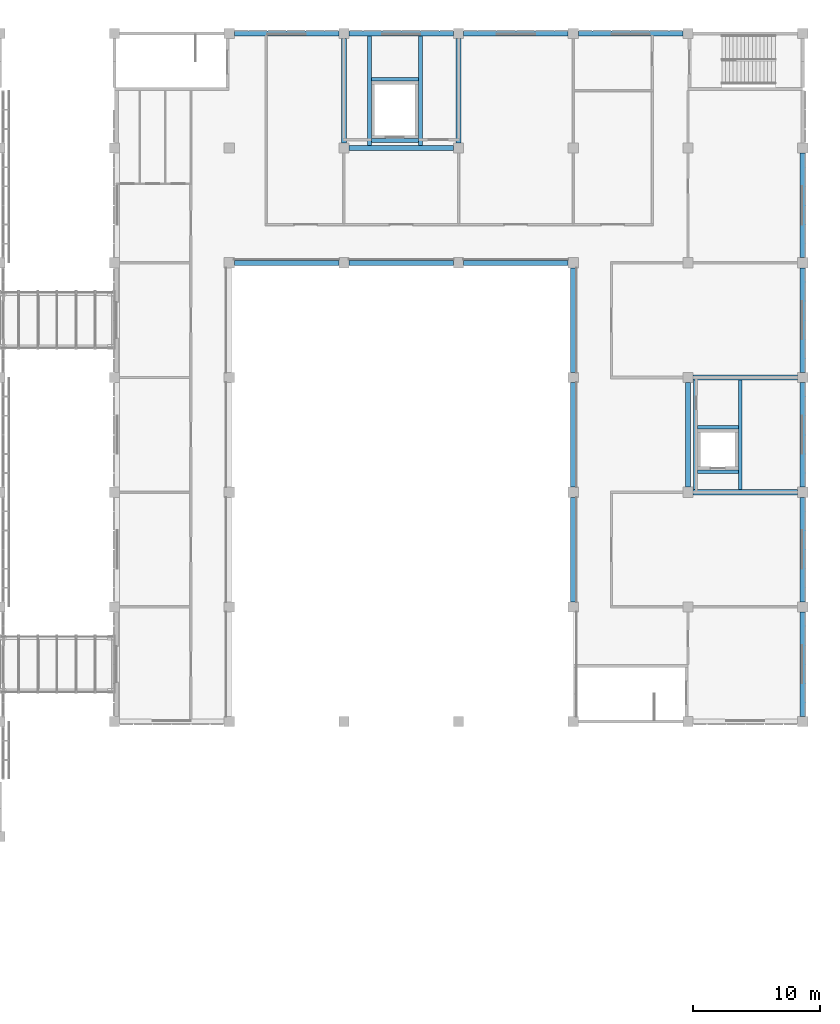
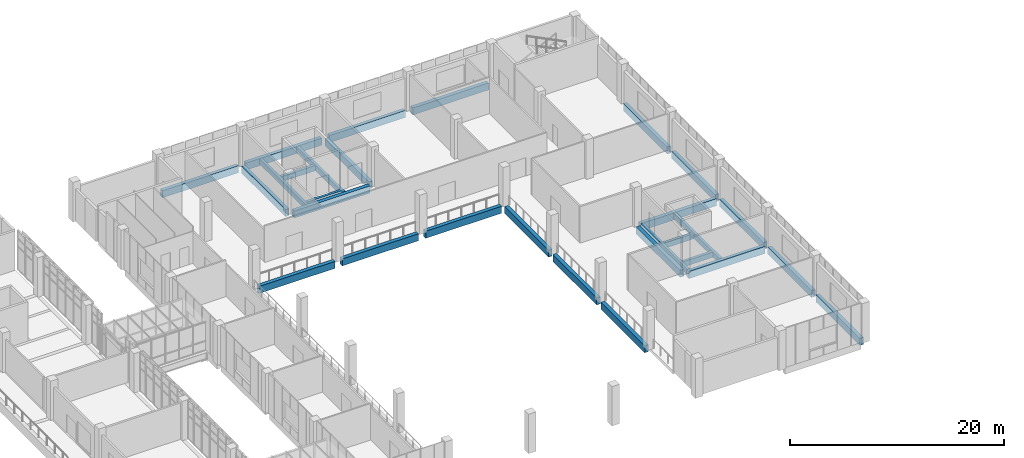
# One storey, part 34 of 88: 29 beams.
"""IFC4 building model written with IfcOpenShell, lengths in metres."""

from ifc_helpers import new_model, si_unit, direction, frame, origin, origin_2d, place, context, subcontext, project, spatial, rectangle, extrude, material, material_profile, profile_set, type_object, element, save


model = new_model("IFC4")

# Units and contexts
model_context = context("Model", 3, precision=1e-05, world=origin(), true_north=direction((0.0, 1.0)))
body_context = subcontext(model_context, "Body", "Model", "MODEL_VIEW")
ifc_project = project(units=[si_unit("LENGTHUNIT", "METRE"), si_unit("AREAUNIT", "SQUARE_METRE"), si_unit("VOLUMEUNIT", "CUBIC_METRE"), si_unit("PLANEANGLEUNIT", "RADIAN"), si_unit("MASSUNIT", "GRAM", prefix="KILO")], contexts=[model_context])

# Site, building, storey
site_placement = place(None, origin())
site = spatial("IfcSite", under=ifc_project, at=site_placement, CompositionType="ELEMENT")
building_placement = place(site_placement, origin())
building = spatial("IfcBuilding", under=site, at=building_placement, Name="Guidao Yard Department Store", CompositionType="ELEMENT")
storey_placement = place(building_placement, frame((0.0, 0.0, 6.0)))
storey = spatial("IfcBuildingStorey", under=building, at=storey_placement, Name="L01", CompositionType="ELEMENT", Elevation=6.0)

# Beams
ifc_material_1 = material(Name="Concrete C40", Category="concrete")
ifc_material_profile_1 = material_profile(ifc_material_1, rectangle(XDim=0.39990234375, YDim=0.800048828125, at=origin_2d()), Name="Edge beam 400 x 800 C40")
ifc_profile_set_1 = profile_set([ifc_material_profile_1], Name="Concrete C40")
beam_type_1 = type_object("IfcBeamType", Name="Edge beam 400 x 800 C40", PredefinedType="BEAM", material=ifc_profile_set_1)
for number, where, z_axis, x_axis, name in (
    (1, (135.39990234375, 99.0, -0.39990234375), (1.0, 0.0, 0.0), (0.0, 1.0, 0.0), "Beam EB102"),
    (2, (135.0, 99.39990234375, -0.39990234375), (0.0, 1.0, 0.0), (-1.0, 0.0, 0.0), "Beam EB103"),
    (3, (144.0, 99.39990234375, -0.39990234375), (0.0, 1.0, 0.0), (-1.0, 0.0, 0.0), "Beam EB104"),
    (4, (162.39990234375, 72.0, -0.39990234375), (1.0, 0.0, 0.0), (0.0, 1.0, 0.0), "Beam EB105"),
    (5, (162.39990234375, 81.0, -0.39990234375), (1.0, 0.0, 0.0), (0.0, 1.0, 0.0), "Beam EB106"),
    (6, (162.0, 72.39990234375, -0.39990234375), (0.0, 1.0, 0.0), (-1.0, 0.0, 0.0), "Beam EB107"),
):
    element("IfcBeam", number, at=place(storey_placement, frame(where, z_axis=z_axis, x_axis=x_axis)), inside=storey, type_object=beam_type_1, Name=name, PredefinedType="BEAM", context=body_context, shape_type="SweptSolid", body=[
        extrude(rectangle(XDim=0.39990234375, YDim=0.800048828125, at=origin_2d()), origin(), (0.0, 0.0, 1.0), 8.2001953125),
    ])
ifc_material_2 = material(Name="Concrete C40", Category="concrete")
ifc_material_profile_2 = material_profile(ifc_material_2, rectangle(XDim=0.300048828125, YDim=0.60009765625, at=origin_2d()), Name="Opening beam 300 x 600 C40")
ifc_profile_set_2 = profile_set([ifc_material_profile_2], Name="Concrete C40")
beam_type_2 = type_object("IfcBeamType", Name="Opening beam 300 x 600 C40", PredefinedType="BEAM", material=ifc_profile_set_2)
for number, where, z_axis, x_axis, name in (
    (7, (137.0, 99.199951171875, -0.300048828125), (0.0, 1.0, 0.0), (-1.0, 0.0, 0.0), "Beam OB29"),
    (8, (141.0, 99.199951171875, -0.300048828125), (0.0, 1.0, 0.0), (-1.0, 0.0, 0.0), "Beam OB30"),
):
    element("IfcBeam", number, at=place(storey_placement, frame(where, z_axis=z_axis, x_axis=x_axis)), inside=storey, type_object=beam_type_2, Name=name, PredefinedType="BEAM", context=body_context, shape_type="SweptSolid", body=[
        extrude(rectangle(XDim=0.300048828125, YDim=0.60009765625, at=origin_2d()), origin(), (0.0, 0.0, 1.0), 8.60009765625),
    ])
for number, where, z_axis, x_axis, name in (
    (9, (137.14990234375, 99.60009765625, -0.300048828125), (1.0, 0.0, 0.0), (0.0, 1.0, 0.0), "Beam OB31"),
    (10, (137.14990234375, 104.39990234375, -0.300048828125), (1.0, 0.0, 0.0), (0.0, 1.0, 0.0), "Beam OB32"),
):
    element("IfcBeam", number, at=place(storey_placement, frame(where, z_axis=z_axis, x_axis=x_axis)), inside=storey, type_object=beam_type_2, Name=name, PredefinedType="BEAM", context=body_context, shape_type="SweptSolid", body=[
        extrude(rectangle(XDim=0.300048828125, YDim=0.60009765625, at=origin_2d()), origin(), (0.0, 0.0, 1.0), 3.7001953125),
    ])
for number, where, z_axis, x_axis, name in (
    (11, (162.60009765625, 72.199951171875, -0.300048828125), (0.0, 1.0, 0.0), (-1.0, 0.0, 0.0), "Beam OB33"),
    (12, (166.10009765625, 72.199951171875, -0.300048828125), (0.0, 1.0, 0.0), (-1.0, 0.0, 0.0), "Beam OB34"),
):
    element("IfcBeam", number, at=place(storey_placement, frame(where, z_axis=z_axis, x_axis=x_axis)), inside=storey, type_object=beam_type_2, Name=name, PredefinedType="BEAM", context=body_context, shape_type="SweptSolid", body=[
        extrude(rectangle(XDim=0.300048828125, YDim=0.60009765625, at=origin_2d()), origin(), (0.0, 0.0, 1.0), 8.60009765625),
    ])
for number, where, z_axis, x_axis, name in (
    (13, (162.75, 73.60009765625, -0.300048828125), (1.0, 0.0, 0.0), (0.0, 1.0, 0.0), "Beam OB35"),
    (14, (162.75, 77.10009765625, -0.300048828125), (1.0, 0.0, 0.0), (0.0, 1.0, 0.0), "Beam OB36"),
):
    element("IfcBeam", number, at=place(storey_placement, frame(where, z_axis=z_axis, x_axis=x_axis)), inside=storey, type_object=beam_type_2, Name=name, PredefinedType="BEAM", context=body_context, shape_type="SweptSolid", body=[
        extrude(rectangle(XDim=0.300048828125, YDim=0.60009765625, at=origin_2d()), origin(), (0.0, 0.0, 1.0), 3.199951171875),
    ])
ifc_material_3 = material(Name="Concrete C40", Category="concrete")
ifc_material_profile_3 = material_profile(ifc_material_3, rectangle(XDim=0.39990234375, YDim=0.800048828125, at=origin_2d()), Name="Spandrel beam 400 x 800 C40")
ifc_profile_set_3 = profile_set([ifc_material_profile_3], Name="Concrete C40")
beam_type_3 = type_object("IfcBeamType", Name="Spandrel beam 400 x 800 C40", PredefinedType="SPANDREL", material=ifc_profile_set_3)
for number, where, z_axis, x_axis, name in (
    (15, (153.0, 63.39990234375, -0.39990234375), (0.0, 1.0, 0.0), (-1.0, 0.0, 0.0), "Beam EB61"),
    (16, (153.0, 72.39990234375, -0.39990234375), (0.0, 1.0, 0.0), (-1.0, 0.0, 0.0), "Beam EB62"),
    (17, (153.0, 81.39990234375, -0.39990234375), (0.0, 1.0, 0.0), (-1.0, 0.0, 0.0), "Beam EB63"),
    (18, (126.39990234375, 90.0, -0.39990234375), (1.0, 0.0, 0.0), (0.0, 1.0, 0.0), "Beam EB64"),
    (19, (135.39990234375, 90.0, -0.39990234375), (1.0, 0.0, 0.0), (0.0, 1.0, 0.0), "Beam EB65"),
    (20, (144.39990234375, 90.0, -0.39990234375), (1.0, 0.0, 0.0), (0.0, 1.0, 0.0), "Beam EB66"),
    (21, (126.39990234375, 108.0, -0.39990234375), (1.0, 0.0, 0.0), (0.0, 1.0, 0.0), "Beam EB75"),
    (22, (135.39990234375, 108.0, -0.39990234375), (1.0, 0.0, 0.0), (0.0, 1.0, 0.0), "Beam EB76"),
    (23, (144.39990234375, 108.0, -0.39990234375), (1.0, 0.0, 0.0), (0.0, 1.0, 0.0), "Beam EB77"),
    (24, (153.39990234375, 108.0, -0.39990234375), (1.0, 0.0, 0.0), (0.0, 1.0, 0.0), "Beam EB78"),
    (25, (171.0, 54.39990234375, -0.39990234375), (0.0, 1.0, 0.0), (-1.0, 0.0, 0.0), "Beam EB79"),
    (26, (171.0, 63.39990234375, -0.39990234375), (0.0, 1.0, 0.0), (-1.0, 0.0, 0.0), "Beam EB80"),
    (27, (171.0, 72.39990234375, -0.39990234375), (0.0, 1.0, 0.0), (-1.0, 0.0, 0.0), "Beam EB81"),
    (28, (171.0, 81.39990234375, -0.39990234375), (0.0, 1.0, 0.0), (-1.0, 0.0, 0.0), "Beam EB82"),
    (29, (171.0, 90.39990234375, -0.39990234375), (0.0, 1.0, 0.0), (-1.0, 0.0, 0.0), "Beam EB83"),
):
    element("IfcBeam", number, at=place(storey_placement, frame(where, z_axis=z_axis, x_axis=x_axis)), inside=storey, type_object=beam_type_3, Name=name, PredefinedType="SPANDREL", context=body_context, shape_type="SweptSolid", body=[
        extrude(rectangle(XDim=0.39990234375, YDim=0.800048828125, at=origin_2d()), origin(), (0.0, 0.0, 1.0), 8.2001953125),
    ])

save(model, "model.ifc")
